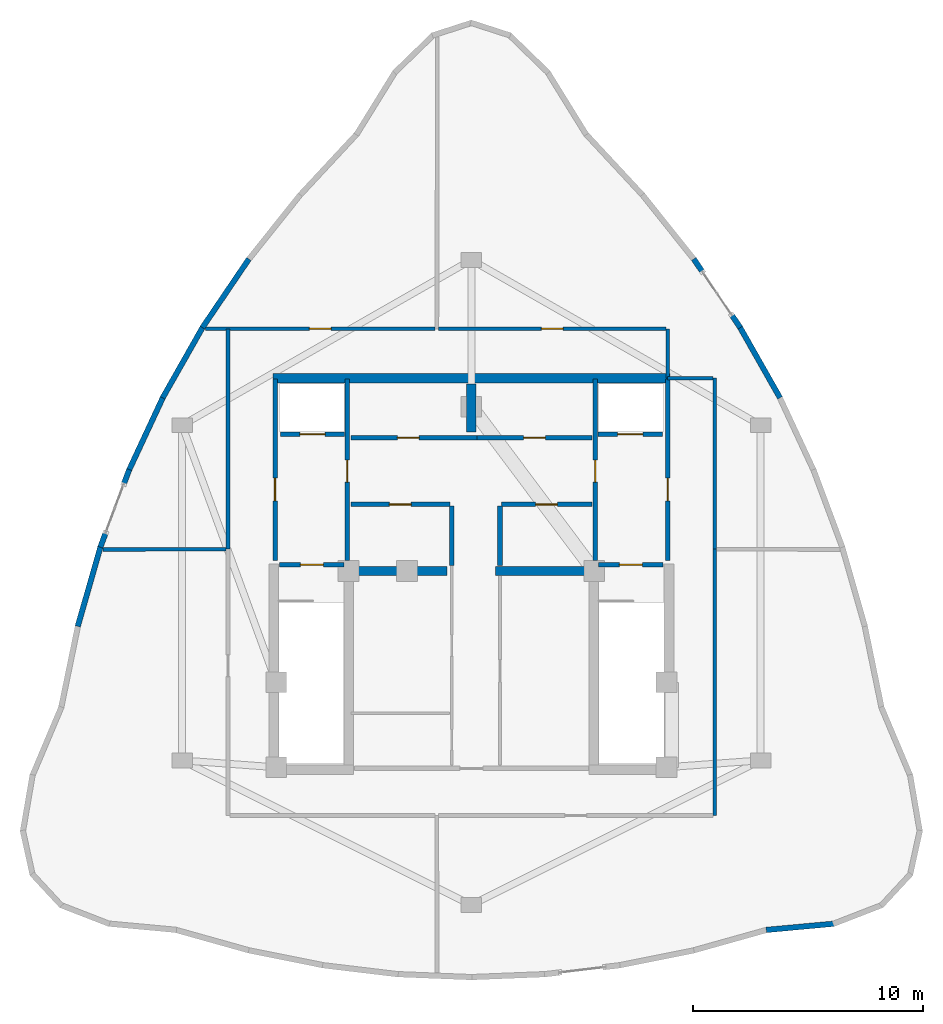
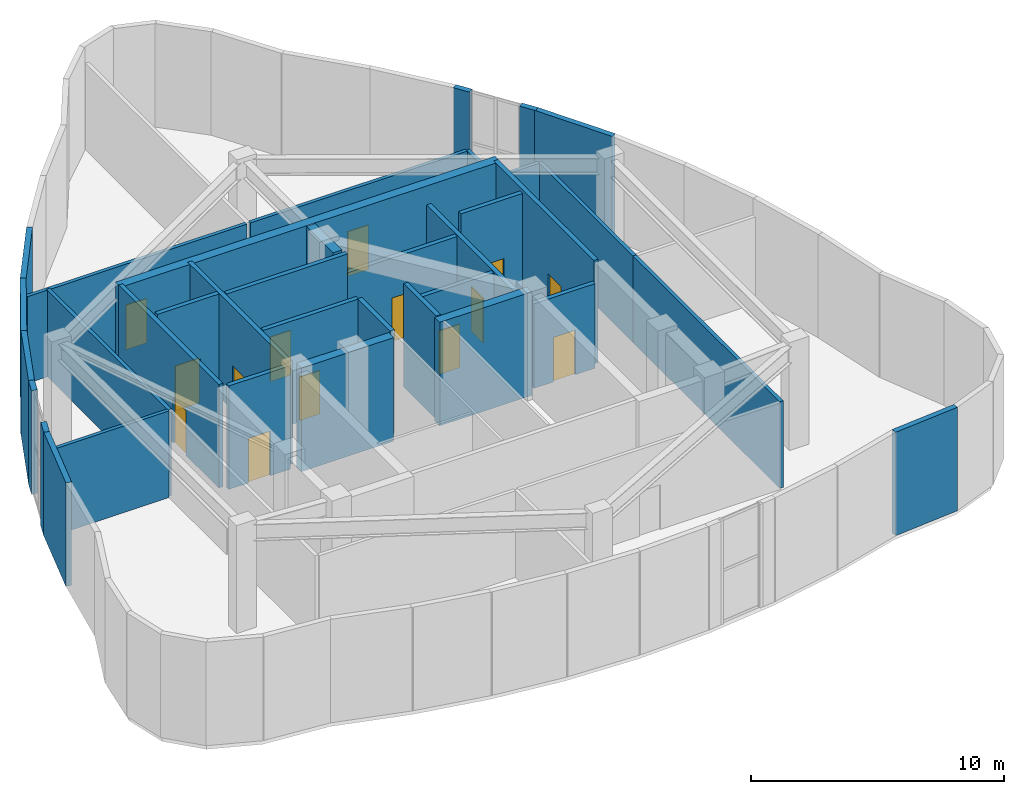
# One storey, part 10 of 12: 36 walls, 14 doors, 14 openings.
"""IFC4 building model written with IfcOpenShell, lengths in metres."""

from ifc_helpers import new_model, si_unit, direction, frame, frame_2d, origin, place, context, subcontext, project, spatial, rectangle, extrude, material, layer, layer_set, type_object, element, fill, save


model = new_model("IFC4")

# Units and contexts
model_context = context("Model", 3, precision=1e-05, world=origin(), true_north=direction((0.0, 1.0)))
body_context = subcontext(model_context, "Body", "Model", "MODEL_VIEW")
ifc_project = project(units=[si_unit("LENGTHUNIT", "METRE"), si_unit("AREAUNIT", "SQUARE_METRE"), si_unit("VOLUMEUNIT", "CUBIC_METRE"), si_unit("PLANEANGLEUNIT", "RADIAN"), si_unit("MASSUNIT", "GRAM", prefix="KILO")], contexts=[model_context])

# Site, building, storey
site_placement = place(None, origin())
site = spatial("IfcSite", under=ifc_project, at=site_placement, CompositionType="ELEMENT")
building_placement = place(site_placement, origin())
building = spatial("IfcBuilding", under=site, at=building_placement, Name="Miruveldt Soraemaru", CompositionType="ELEMENT")
storey_placement = place(building_placement, frame((0.0, 0.0, 312.800048828125)))
storey = spatial("IfcBuildingStorey", under=building, at=storey_placement, Name="L82", CompositionType="ELEMENT", Elevation=312.800048828125)

# Walls
ifc_material_1 = material(Name="Concrete C70/85 (70 MPa)", Category="concrete")
ifc_layer_1 = layer(ifc_material_1, 0.5, Name="Concrete C70/85 (70 MPa)", Category="concrete")
ifc_layer_set_1 = layer_set([ifc_layer_1], Name="Concrete C70/85 (70 MPa)")
wall_type_1 = type_object("IfcWallType", Name="WALL-BW-500", PredefinedType="SHEAR", material=ifc_layer_set_1)
wall_1_placement = place(storey_placement, frame((44.0, 50.10009765625, 0.0), z_axis=(0.0, 0.0, 1.0), x_axis=(0.0, 1.0, 0.0)))
element("IfcWall", 1, at=wall_1_placement, inside=storey, type_object=wall_type_1, Name="L82 Core Buttress Shear Wall BN", PredefinedType="SHEAR", context=body_context, shape_type="SweptSolid", body=[
    extrude(rectangle(XDim=2.099853515625, YDim=0.39990234375, at=frame_2d((1.0498046875, 0.0))), origin(), (0.0, 0.0, 1.0), 4.989990234375),
])
for number, where, z_axis, x_axis, name in (
    (2, (38.75, 44.050048828125, 0.0), (0.0, 0.0, 1.0), (1.0, 0.0, 0.0), "L82 Core Buttress Shear Wall BW"),
    (3, (45.050048828125, 44.050048828125, 0.0), (0.0, 0.0, 1.0), (1.0, 0.0, 0.0), "L82 Core Buttress Shear Wall BE"),
):
    element("IfcWall", number, at=place(storey_placement, frame(where, z_axis=z_axis, x_axis=x_axis)), inside=storey, type_object=wall_type_1, Name=name, PredefinedType="SHEAR", context=body_context, shape_type="SweptSolid", body=[
        extrude(rectangle(XDim=4.199951171875, YDim=0.39990234375, at=frame_2d((2.10009765625, 0.0))), origin(), (0.0, 0.0, 1.0), 4.989990234375),
    ])
ifc_material_2 = material(Name="Concrete C50/60 (50 MPa)", Category="concrete")
ifc_layer_2 = layer(ifc_material_2, 0.419921875, Name="Concrete C50/60 (50 MPa)", Category="concrete")
ifc_layer_set_2 = layer_set([ifc_layer_2], Name="Concrete C50/60 (50 MPa)")
wall_type_2 = type_object("IfcWallType", Name="WALL-CW-420", PredefinedType="SHEAR", material=ifc_layer_set_2)
wall_2_placement = place(storey_placement, frame((35.35009765625, 52.449951171875, 0.0), z_axis=(0.0, 0.0, 1.0), x_axis=(1.0, 0.0, 0.0)))
element("IfcWall", 4, at=wall_2_placement, inside=storey, type_object=wall_type_2, Name="L82 Central Core Shear Wall N", PredefinedType="SHEAR", context=body_context, shape_type="SweptSolid", body=[
    extrude(rectangle(XDim=17.2998046875, YDim=0.419921875, at=frame_2d((8.64990234375, 0.0))), origin(), (0.0, 0.0, 1.0), 4.989990234375),
])
ifc_material_3 = material(Name="Precast concrete C45/55 (45 MPa)", Category="concrete")
ifc_layer_3 = layer(ifc_material_3, 0.239990234375, Name="Precast concrete C45/55 (45 MPa)", Category="concrete")
ifc_layer_set_3 = layer_set([ifc_layer_3], Name="Precast concrete C45/55 (45 MPa)")
wall_type_3 = type_object("IfcWallType", Name="WALL-EXT-PC240", PredefinedType="SOLIDWALL", material=ifc_layer_set_3)
wall_3_placement = place(storey_placement, frame((34.30908203125, 57.640869140625, 0.0), z_axis=(0.0, 0.0, 1.0), x_axis=(-0.560819727484, -0.827937940467, 0.0)))
element("IfcWall", 5, at=wall_3_placement, inside=storey, type_object=wall_type_3, Name="L82 Precast Concrete Facade Wall 9", PredefinedType="SOLIDWALL", context=body_context, shape_type="SweptSolid", body=[
    extrude(rectangle(XDim=3.609375, YDim=0.239990234375, at=frame_2d((1.8046875, 0.0))), origin(), (0.0, 0.0, 1.0), 4.989990234375),
])
wall_4_placement = place(storey_placement, frame((32.32177734375, 54.7119140625, 0.0), z_axis=(0.0, 0.0, 1.0), x_axis=(-0.49340236427, -0.869801188165, 0.0)))
element("IfcWall", 6, at=wall_4_placement, inside=storey, type_object=wall_type_3, Name="L82 Precast Concrete Facade Wall 10", PredefinedType="SOLIDWALL", context=body_context, shape_type="SweptSolid", body=[
    extrude(rectangle(XDim=3.5869140625, YDim=0.239990234375, at=frame_2d((1.79345703125, 0.0))), origin(), (0.0, 0.0, 1.0), 4.989990234375),
])
wall_5_placement = place(storey_placement, frame((30.584228515625, 51.654296875, 0.0), z_axis=(0.0, 0.0, 1.0), x_axis=(-0.422322757118, -0.906445524464, 0.0)))
element("IfcWall", 7, at=wall_5_placement, inside=storey, type_object=wall_type_3, Name="L82 Precast Concrete Facade Wall 11", PredefinedType="SOLIDWALL", context=body_context, shape_type="SweptSolid", body=[
    extrude(rectangle(XDim=3.587158203125, YDim=0.239990234375, at=frame_2d((1.79345703125, 0.0))), origin(), (0.0, 0.0, 1.0), 4.989990234375),
])
wall_6_placement = place(storey_placement, frame((29.096435546875, 48.46728515625, 0.0), z_axis=(0.0, 0.0, 1.0), x_axis=(-0.349073246867, -0.937095442483, 0.0)))
element("IfcWall", 8, at=wall_6_placement, inside=storey, type_object=wall_type_3, Name="L82 Precast Pier Left 12", PredefinedType="SOLIDWALL", context=body_context, shape_type="SweptSolid", body=[
    extrude(rectangle(XDim=0.705078125, YDim=0.239990234375, at=frame_2d((0.3525390625, 0.0))), origin(), (0.0, 0.0, 1.0), 4.989990234375),
])
wall_7_placement = place(storey_placement, frame((28.082763671875, 45.74609375, 0.0), z_axis=(0.0, 0.0, 1.0), x_axis=(-0.348960000238, -0.937137619688, 0.0)))
element("IfcWall", 9, at=wall_7_placement, inside=storey, type_object=wall_type_3, Name="L82 Precast Pier Right 12", PredefinedType="SOLIDWALL", context=body_context, shape_type="SweptSolid", body=[
    extrude(rectangle(XDim=0.705322265625, YDim=0.239990234375, at=frame_2d((0.3525390625, 0.0))), origin(), (0.0, 0.0, 1.0), 4.989990234375),
])
wall_8_placement = place(storey_placement, frame((27.8583984375, 45.151611328125, 0.0), z_axis=(0.0, 0.0, 1.0), x_axis=(-0.274897629025, -0.961473501224, 0.0)))
element("IfcWall", 10, at=wall_8_placement, inside=storey, type_object=wall_type_3, Name="L82 Precast Concrete Facade Wall 13", PredefinedType="SOLIDWALL", context=body_context, shape_type="SweptSolid", body=[
    extrude(rectangle(XDim=3.65380859375, YDim=0.239990234375, at=frame_2d((1.826904296875, 0.0))), origin(), (0.0, 0.0, 1.0), 4.989990234375),
])
wall_9_placement = place(storey_placement, frame((56.84619140625, 28.412841796875, 0.0), z_axis=(0.0, 0.0, 1.0), x_axis=(0.995767942029, 0.091903240575, 0.0)))
element("IfcWall", 11, at=wall_9_placement, inside=storey, type_object=wall_type_3, Name="L82 Precast Concrete Facade Wall 29", PredefinedType="SOLIDWALL", context=body_context, shape_type="SweptSolid", body=[
    extrude(rectangle(XDim=2.993896484375, YDim=0.239990234375, at=frame_2d((1.4970703125, 0.0))), origin(), (0.0, 0.0, 1.0), 4.989990234375),
])
wall_10_placement = place(storey_placement, frame((57.447998046875, 51.592041015625, 0.0), z_axis=(0.0, 0.0, 1.0), x_axis=(-0.49340236427, 0.869801188165, 0.0)))
element("IfcWall", 12, at=wall_10_placement, inside=storey, type_object=wall_type_3, Name="L82 Precast Concrete Facade Wall 39", PredefinedType="SOLIDWALL", context=body_context, shape_type="SweptSolid", body=[
    extrude(rectangle(XDim=3.5869140625, YDim=0.239990234375, at=frame_2d((1.79345703125, 0.0))), origin(), (0.0, 0.0, 1.0), 4.989990234375),
])
wall_11_placement = place(storey_placement, frame((55.715087890625, 54.652587890625, 0.0), z_axis=(0.0, 0.0, 1.0), x_axis=(-0.560917046494, 0.827872011214, 0.0)))
element("IfcWall", 13, at=wall_11_placement, inside=storey, type_object=wall_type_3, Name="L82 Precast Pier Left 40", PredefinedType="SOLIDWALL", context=body_context, shape_type="SweptSolid", body=[
    extrude(rectangle(XDim=0.705078125, YDim=0.239990234375, at=frame_2d((0.3525390625, 0.0))), origin(), (0.0, 0.0, 1.0), 4.989990234375),
])
wall_12_placement = place(storey_placement, frame((54.08642578125, 57.056884765625, 0.0), z_axis=(0.0, 0.0, 1.0), x_axis=(-0.560756297025, 0.827980902767, 0.0)))
element("IfcWall", 14, at=wall_12_placement, inside=storey, type_object=wall_type_3, Name="L82 Precast Pier Right 40", PredefinedType="SOLIDWALL", context=body_context, shape_type="SweptSolid", body=[
    extrude(rectangle(XDim=0.705322265625, YDim=0.239990234375, at=frame_2d((0.3525390625, 0.0))), origin(), (0.0, 0.0, 1.0), 4.989990234375),
])

# Wall, opening, door
ifc_material_4 = material(Name="Concrete C40/50 (40 MPa)", Category="concrete")
ifc_layer_4 = layer(ifc_material_4, 0.159912109375, Name="Concrete C40/50 (40 MPa)", Category="concrete")
ifc_layer_set_4 = layer_set([ifc_layer_4], Name="Concrete C40/50 (40 MPa)")
wall_type_4 = type_object("IfcWallType", Name="WALL-INT-RC160", PredefinedType="SOLIDWALL", material=ifc_layer_set_4)
wall_13_placement = place(storey_placement, frame((42.419921875, 54.60009765625, 0.0), z_axis=(0.0, 0.0, 1.0), x_axis=(-1.0, 0.0, 0.0)))
wall_13 = element("IfcWall", 15, at=wall_13_placement, inside=storey, type_object=wall_type_4, Name="L82 Partition Wall 5", PredefinedType="SOLIDWALL", context=body_context, shape_type="SweptSolid", body=[
    extrude(rectangle(XDim=10.0068359375, YDim=0.159912109375, at=frame_2d((5.00341796875, 0.0))), origin(), (0.0, 0.0, 1.0), 4.177978515625),
])
opening_1_placement = place(wall_13_placement, frame((4.529052734375, 0.0, 0.0)))
opening_1 = element("IfcOpeningElement", 16, at=opening_1_placement, cuts=wall_13, Name="Opening FD2", PredefinedType="OPENING", context=body_context, shape_type="SweptSolid", body=[
    extrude(rectangle(XDim=0.949951171875, YDim=2.14990234375, at=frame_2d((0.47509765625, 1.074951171875))), frame((0.0, 0.08984375, 0.0), z_axis=(0.0, -1.0, 0.0), x_axis=(1.0, 0.0, 0.0)), (0.0, 0.0, 1.0), 0.179931640625),
])
ifc_material_5 = material(Name="Anodised aluminium EN AW-6063 T6", Category="aluminium")
door_type_1 = type_object("IfcDoorType", Name="DOOR-FD2-950", OperationType="NOTDEFINED", PredefinedType="DOOR", material=ifc_material_5)
door_1_placement = place(opening_1_placement, origin())
door_1 = element("IfcDoor", 17, at=door_1_placement, inside=storey, type_object=door_type_1, Name="L82 L82 Crown Water Tank and Pump Plant Room Fire Door", OperationType="SINGLE_SWING_RIGHT", OverallHeight=2.14990234375, OverallWidth=0.949951171875, PredefinedType="DOOR", context=body_context, shape_type="SweptSolid", body=[
    extrude(rectangle(XDim=0.949951171875, YDim=2.14990234375, at=frame_2d((0.47509765625, 1.074951171875))), frame((0.0, 0.02490234375, 0.0), z_axis=(0.0, -1.0, 0.0), x_axis=(1.0, 0.0, 0.0)), (0.0, 0.0, 1.0), 0.050048828125),
])
fill(opening_1, door_1)

wall_14_placement = place(storey_placement, frame((52.469970703125, 54.60009765625, 0.0), z_axis=(0.0, 0.0, 1.0), x_axis=(-1.0, 0.0, 0.0)))
wall_14 = element("IfcWall", 18, at=wall_14_placement, inside=storey, type_object=wall_type_4, Name="L82 Partition Wall 10", PredefinedType="SOLIDWALL", context=body_context, shape_type="SweptSolid", body=[
    extrude(rectangle(XDim=9.889892578125, YDim=0.159912109375, at=frame_2d((4.94482421875, 0.0))), origin(), (0.0, 0.0, 1.0), 4.177978515625),
])
opening_2_placement = place(wall_14_placement, frame((4.469970703125, 0.0, 0.0)))
opening_2 = element("IfcOpeningElement", 19, at=opening_2_placement, cuts=wall_14, Name="Opening FD2", PredefinedType="OPENING", context=body_context, shape_type="SweptSolid", body=[
    extrude(rectangle(XDim=0.949951171875, YDim=2.14990234375, at=frame_2d((0.47509765625, 1.074951171875))), frame((0.0, 0.08984375, 0.0), z_axis=(0.0, -1.0, 0.0), x_axis=(1.0, 0.0, 0.0)), (0.0, 0.0, 1.0), 0.179931640625),
])
door_2_placement = place(opening_2_placement, origin())
door_2 = element("IfcDoor", 20, at=door_2_placement, inside=storey, type_object=door_type_1, Name="L82 L82 Crown Electrical and BMS Plant Room Fire Door", OperationType="SINGLE_SWING_LEFT", OverallHeight=2.14990234375, OverallWidth=0.949951171875, PredefinedType="DOOR", context=body_context, shape_type="SweptSolid", body=[
    extrude(rectangle(XDim=0.949951171875, YDim=2.14990234375, at=frame_2d((0.47509765625, 1.074951171875))), frame((0.0, 0.02490234375, 0.0), z_axis=(0.0, -1.0, 0.0), x_axis=(1.0, 0.0, 0.0)), (0.0, 0.0, 1.0), 0.050048828125),
])
fill(opening_2, door_2)

# Walls
wall_15_placement = place(storey_placement, frame((54.60009765625, 33.39990234375, 0.0), z_axis=(0.0, 0.0, 1.0), x_axis=(0.0, 1.0, 0.0)))
element("IfcWall", 21, at=wall_15_placement, inside=storey, type_object=wall_type_4, Name="L82 Partition Wall 4", PredefinedType="SOLIDWALL", context=body_context, shape_type="SweptSolid", body=[
    extrude(rectangle(XDim=11.60009765625, YDim=0.159912109375, at=frame_2d((5.800048828125, 0.0))), origin(), (0.0, 0.0, 1.0), 4.177978515625),
])
wall_16_placement = place(storey_placement, frame((33.39990234375, 54.60009765625, 0.0), z_axis=(0.0, 0.0, 1.0), x_axis=(0.0, -1.0, 0.0)))
element("IfcWall", 22, at=wall_16_placement, inside=storey, type_object=wall_type_4, Name="L82 Partition Wall 6", PredefinedType="SOLIDWALL", context=body_context, shape_type="SweptSolid", body=[
    extrude(rectangle(XDim=9.60009765625, YDim=0.159912109375, at=frame_2d((4.800048828125, 0.0))), origin(), (0.0, 0.0, 1.0), 4.177978515625),
])
wall_17_placement = place(storey_placement, frame((54.60009765625, 45.0, 0.0), z_axis=(0.0, 0.0, 1.0), x_axis=(0.0, 1.0, 0.0)))
element("IfcWall", 23, at=wall_17_placement, inside=storey, type_object=wall_type_4, Name="L82 Partition Wall 7", PredefinedType="SOLIDWALL", context=body_context, shape_type="SweptSolid", body=[
    extrude(rectangle(XDim=7.449951171875, YDim=0.159912109375, at=frame_2d((3.72509765625, 0.0))), origin(), (0.0, 0.0, 1.0), 4.177978515625),
])
wall_18_placement = place(storey_placement, frame((33.320068359375, 45.0, 0.0), z_axis=(0.0, 0.0, 1.0), x_axis=(-0.999996153217, -0.002773725234, 0.0)))
element("IfcWall", 24, at=wall_18_placement, inside=storey, type_object=wall_type_4, Name="L82 Partition Wall 12", PredefinedType="SOLIDWALL", context=body_context, shape_type="SweptSolid", body=[
    extrude(rectangle(XDim=5.369140625, YDim=0.159912109375, at=frame_2d((2.6845703125, 0.0))), origin(), (0.0, 0.0, 1.0), 4.177978515625),
])
wall_19_placement = place(storey_placement, frame((52.550048828125, 52.449951171875, 0.0), z_axis=(0.0, 0.0, 1.0), x_axis=(0.0, 1.0, 0.0)))
element("IfcWall", 25, at=wall_19_placement, inside=storey, type_object=wall_type_4, Name="L82 Partition Wall 9", PredefinedType="SOLIDWALL", context=body_context, shape_type="SweptSolid", body=[
    extrude(rectangle(XDim=2.150146484375, YDim=0.159912109375, at=frame_2d((1.0751953125, 0.0))), origin(), (0.0, 0.0, 1.0), 4.177978515625),
])
wall_20_placement = place(storey_placement, frame((54.52001953125, 52.449951171875, 0.0), z_axis=(0.0, 0.0, 1.0), x_axis=(-1.0, 0.0, 0.0)))
element("IfcWall", 26, at=wall_20_placement, inside=storey, type_object=wall_type_4, Name="L82 Partition Wall 8", PredefinedType="SOLIDWALL", context=body_context, shape_type="SweptSolid", body=[
    extrude(rectangle(XDim=1.969970703125, YDim=0.159912109375, at=frame_2d((0.98486328125, 0.0))), origin(), (0.0, 0.0, 1.0), 4.177978515625),
])

# Wall, opening, door
ifc_layer_5 = layer(ifc_material_4, 0.199951171875, Name="Concrete C40/50 (40 MPa)", Category="concrete")
ifc_layer_set_5 = layer_set([ifc_layer_5], Name="Concrete C40/50 (40 MPa)")
wall_type_5 = type_object("IfcWallType", Name="WALL-INT-RC200", PredefinedType="SOLIDWALL", material=ifc_layer_set_5)
wall_21_placement = place(storey_placement, frame((35.449951171875, 44.5, 0.0), z_axis=(0.0, 0.0, 1.0), x_axis=(0.0, 1.0, 0.0)))
wall_21 = element("IfcWall", 27, at=wall_21_placement, inside=storey, type_object=wall_type_5, Name="L82 Core Compartment Wall FFW-OUT", PredefinedType="SOLIDWALL", context=body_context, shape_type="SweptSolid", body=[
    extrude(rectangle(XDim=7.919921875, YDim=0.199951171875, at=frame_2d((3.9599609375, 0.0))), origin(), (0.0, 0.0, 1.0), 4.989990234375),
])
opening_3_placement = place(wall_21_placement, frame((2.60009765625, 0.0, 0.0)))
opening_3 = element("IfcOpeningElement", 28, at=opening_3_placement, cuts=wall_21, Name="Opening FD1", PredefinedType="OPENING", context=body_context, shape_type="SweptSolid", body=[
    extrude(rectangle(XDim=1.0, YDim=2.14990234375, at=frame_2d((0.5, 1.074951171875))), frame((0.0, 0.10986328125, 0.0), z_axis=(0.0, -1.0, 0.0), x_axis=(1.0, 0.0, 0.0)), (0.0, 0.0, 1.0), 0.219970703125),
])
door_type_2 = type_object("IfcDoorType", Name="DOOR-FD1-1000", OperationType="NOTDEFINED", PredefinedType="DOOR", material=ifc_material_5)
door_3_placement = place(opening_3_placement, origin())
door_3 = element("IfcDoor", 29, at=door_3_placement, inside=storey, type_object=door_type_2, Name="L82 West Firefighting Lobby Exit Door", OperationType="SINGLE_SWING_LEFT", OverallHeight=2.14990234375, OverallWidth=1.0, PredefinedType="DOOR", context=body_context, shape_type="SweptSolid", body=[
    extrude(rectangle(XDim=1.0, YDim=2.14990234375, at=frame_2d((0.5, 1.074951171875))), frame((0.0, 0.02490234375, 0.0), z_axis=(0.0, -1.0, 0.0), x_axis=(1.0, 0.0, 0.0)), (0.0, 0.0, 1.0), 0.050048828125),
])
fill(opening_3, door_3)

wall_22_placement = place(storey_placement, frame((52.550048828125, 44.5, 0.0), z_axis=(0.0, 0.0, 1.0), x_axis=(0.0, 1.0, 0.0)))
wall_22 = element("IfcWall", 30, at=wall_22_placement, inside=storey, type_object=wall_type_5, Name="L82 Core Compartment Wall FFE-OUT", PredefinedType="SOLIDWALL", context=body_context, shape_type="SweptSolid", body=[
    extrude(rectangle(XDim=7.919921875, YDim=0.199951171875, at=frame_2d((3.9599609375, 0.0))), origin(), (0.0, 0.0, 1.0), 4.989990234375),
])
opening_4_placement = place(wall_22_placement, frame((2.60009765625, 0.0, 0.0)))
opening_4 = element("IfcOpeningElement", 31, at=opening_4_placement, cuts=wall_22, Name="Opening FD1", PredefinedType="OPENING", context=body_context, shape_type="SweptSolid", body=[
    extrude(rectangle(XDim=1.0, YDim=2.14990234375, at=frame_2d((0.5, 1.074951171875))), frame((0.0, 0.10986328125, 0.0), z_axis=(0.0, -1.0, 0.0), x_axis=(1.0, 0.0, 0.0)), (0.0, 0.0, 1.0), 0.219970703125),
])
door_4_placement = place(opening_4_placement, frame((1.0, 0.0, 0.0), z_axis=(0.0, 0.0, 1.0), x_axis=(-1.0, 0.0, 0.0)))
door_4 = element("IfcDoor", 32, at=door_4_placement, inside=storey, type_object=door_type_2, Name="L82 East Firefighting Lobby Exit Door", OperationType="SINGLE_SWING_RIGHT", OverallHeight=2.14990234375, OverallWidth=1.0, PredefinedType="DOOR", context=body_context, shape_type="SweptSolid", body=[
    extrude(rectangle(XDim=1.0, YDim=2.14990234375, at=frame_2d((0.5, 1.074951171875))), frame((0.0, 0.02490234375, 0.0), z_axis=(0.0, -1.0, 0.0), x_axis=(1.0, 0.0, 0.0)), (0.0, 0.0, 1.0), 0.050048828125),
])
fill(opening_4, door_4)

wall_23_placement = place(storey_placement, frame((38.60009765625, 44.5, 0.0), z_axis=(0.0, 0.0, 1.0), x_axis=(0.0, 1.0, 0.0)))
wall_23 = element("IfcWall", 33, at=wall_23_placement, inside=storey, type_object=wall_type_5, Name="L82 Core Compartment Wall FFW-IN", PredefinedType="SOLIDWALL", context=body_context, shape_type="SweptSolid", body=[
    extrude(rectangle(XDim=7.919921875, YDim=0.199951171875, at=frame_2d((3.9599609375, 0.0))), origin(), (0.0, 0.0, 1.0), 4.989990234375),
])
opening_5_placement = place(wall_23_placement, frame((3.425048828125, 0.0, 0.0)))
opening_5 = element("IfcOpeningElement", 34, at=opening_5_placement, cuts=wall_23, Name="Opening FD2", PredefinedType="OPENING", context=body_context, shape_type="SweptSolid", body=[
    extrude(rectangle(XDim=0.949951171875, YDim=2.14990234375, at=frame_2d((0.47509765625, 1.074951171875))), frame((0.0, 0.10986328125, 0.0), z_axis=(0.0, -1.0, 0.0), x_axis=(1.0, 0.0, 0.0)), (0.0, 0.0, 1.0), 0.219970703125),
])
door_5_placement = place(opening_5_placement, frame((0.949951171875, 0.0, 0.0), z_axis=(0.0, 0.0, 1.0), x_axis=(-1.0, 0.0, 0.0)))
door_5 = element("IfcDoor", 35, at=door_5_placement, inside=storey, type_object=door_type_1, Name="L82 Lift Lobby to West Fire Lobby Door", OperationType="SINGLE_SWING_RIGHT", OverallHeight=2.14990234375, OverallWidth=0.949951171875, PredefinedType="DOOR", context=body_context, shape_type="SweptSolid", body=[
    extrude(rectangle(XDim=0.949951171875, YDim=2.14990234375, at=frame_2d((0.47509765625, 1.074951171875))), frame((0.0, 0.02490234375, 0.0), z_axis=(0.0, -1.0, 0.0), x_axis=(1.0, 0.0, 0.0)), (0.0, 0.0, 1.0), 0.050048828125),
])
fill(opening_5, door_5)

wall_24_placement = place(storey_placement, frame((49.39990234375, 44.5, 0.0), z_axis=(0.0, 0.0, 1.0), x_axis=(0.0, 1.0, 0.0)))
wall_24 = element("IfcWall", 36, at=wall_24_placement, inside=storey, type_object=wall_type_5, Name="L82 Core Compartment Wall FFE-IN", PredefinedType="SOLIDWALL", context=body_context, shape_type="SweptSolid", body=[
    extrude(rectangle(XDim=7.919921875, YDim=0.199951171875, at=frame_2d((3.9599609375, 0.0))), origin(), (0.0, 0.0, 1.0), 4.077880859375),
])
opening_6_placement = place(wall_24_placement, frame((3.425048828125, 0.0, 0.0)))
opening_6 = element("IfcOpeningElement", 37, at=opening_6_placement, cuts=wall_24, Name="Opening FD2", PredefinedType="OPENING", context=body_context, shape_type="SweptSolid", body=[
    extrude(rectangle(XDim=0.949951171875, YDim=2.14990234375, at=frame_2d((0.47509765625, 1.074951171875))), frame((0.0, 0.10986328125, 0.0), z_axis=(0.0, -1.0, 0.0), x_axis=(1.0, 0.0, 0.0)), (0.0, 0.0, 1.0), 0.219970703125),
])
door_6_placement = place(opening_6_placement, origin())
door_6 = element("IfcDoor", 38, at=door_6_placement, inside=storey, type_object=door_type_1, Name="L82 Lift Lobby to East Fire Lobby Door", OperationType="SINGLE_SWING_LEFT", OverallHeight=2.14990234375, OverallWidth=0.949951171875, PredefinedType="DOOR", context=body_context, shape_type="SweptSolid", body=[
    extrude(rectangle(XDim=0.949951171875, YDim=2.14990234375, at=frame_2d((0.47509765625, 1.074951171875))), frame((0.0, 0.02490234375, 0.0), z_axis=(0.0, -1.0, 0.0), x_axis=(1.0, 0.0, 0.0)), (0.0, 0.0, 1.0), 0.050048828125),
])
fill(opening_6, door_6)

wall_25_placement = place(storey_placement, frame((38.75, 49.85009765625, 0.0), z_axis=(0.0, 0.0, 1.0), x_axis=(1.0, 0.0, 0.0)))
wall_25 = element("IfcWall", 39, at=wall_25_placement, inside=storey, type_object=wall_type_5, Name="L82 Core Compartment Wall ROWA-SW", PredefinedType="SOLIDWALL", context=body_context, shape_type="SweptSolid", body=[
    extrude(rectangle(XDim=5.5, YDim=0.199951171875, at=frame_2d((2.75, 0.0))), origin(), (0.0, 0.0, 1.0), 4.989990234375),
])
opening_7_placement = place(wall_25_placement, frame((2.02490234375, 0.0, 0.0)))
opening_7 = element("IfcOpeningElement", 40, at=opening_7_placement, cuts=wall_25, Name="Opening FD2", PredefinedType="OPENING", context=body_context, shape_type="SweptSolid", body=[
    extrude(rectangle(XDim=0.949951171875, YDim=2.14990234375, at=frame_2d((0.47509765625, 1.074951171875))), frame((0.0, 0.10986328125, 0.0), z_axis=(0.0, -1.0, 0.0), x_axis=(1.0, 0.0, 0.0)), (0.0, 0.0, 1.0), 0.219970703125),
])
door_7_placement = place(opening_7_placement, origin())
door_7 = element("IfcDoor", 41, at=door_7_placement, inside=storey, type_object=door_type_1, Name="L82 Fire Door", OperationType="SINGLE_SWING_LEFT", OverallHeight=2.14990234375, OverallWidth=0.949951171875, PredefinedType="DOOR", context=body_context, shape_type="SweptSolid", body=[
    extrude(rectangle(XDim=0.949951171875, YDim=2.14990234375, at=frame_2d((0.47509765625, 1.074951171875))), frame((0.0, 0.02490234375, 0.0), z_axis=(0.0, -1.0, 0.0), x_axis=(1.0, 0.0, 0.0)), (0.0, 0.0, 1.0), 0.050048828125),
])
fill(opening_7, door_7)

wall_26_placement = place(storey_placement, frame((44.25, 49.85009765625, 0.0), z_axis=(0.0, 0.0, 1.0), x_axis=(1.0, 0.0, 0.0)))
wall_26 = element("IfcWall", 42, at=wall_26_placement, inside=storey, type_object=wall_type_5, Name="L82 Core Compartment Wall ROWA-SE", PredefinedType="SOLIDWALL", context=body_context, shape_type="SweptSolid", body=[
    extrude(rectangle(XDim=5.0, YDim=0.199951171875, at=frame_2d((2.5, 0.0))), origin(), (0.0, 0.0, 1.0), 4.077880859375),
])
opening_8_placement = place(wall_26_placement, frame((2.02490234375, 0.0, 0.0)))
opening_8 = element("IfcOpeningElement", 43, at=opening_8_placement, cuts=wall_26, Name="Opening FD2", PredefinedType="OPENING", context=body_context, shape_type="SweptSolid", body=[
    extrude(rectangle(XDim=0.949951171875, YDim=2.14990234375, at=frame_2d((0.47509765625, 1.074951171875))), frame((0.0, 0.10986328125, 0.0), z_axis=(0.0, -1.0, 0.0), x_axis=(1.0, 0.0, 0.0)), (0.0, 0.0, 1.0), 0.219970703125),
])
door_8_placement = place(opening_8_placement, origin())
door_8 = element("IfcDoor", 44, at=door_8_placement, inside=storey, type_object=door_type_1, Name="L82 Fire Door", OperationType="SINGLE_SWING_LEFT", OverallHeight=2.14990234375, OverallWidth=0.949951171875, PredefinedType="DOOR", context=body_context, shape_type="SweptSolid", body=[
    extrude(rectangle(XDim=0.949951171875, YDim=2.14990234375, at=frame_2d((0.47509765625, 1.074951171875))), frame((0.0, 0.02490234375, 0.0), z_axis=(0.0, -1.0, 0.0), x_axis=(1.0, 0.0, 0.0)), (0.0, 0.0, 1.0), 0.050048828125),
])
fill(opening_8, door_8)

wall_27_placement = place(storey_placement, frame((38.75, 46.949951171875, 0.0), z_axis=(0.0, 0.0, 1.0), x_axis=(1.0, 0.0, 0.0)))
wall_27 = element("IfcWall", 45, at=wall_27_placement, inside=storey, type_object=wall_type_5, Name="L82 Core Compartment Wall MBW-N", PredefinedType="SOLIDWALL", context=body_context, shape_type="SweptSolid", body=[
    extrude(rectangle(XDim=4.330078125, YDim=0.199951171875, at=frame_2d((2.1650390625, 0.0))), origin(), (0.0, 0.0, 1.0), 4.989990234375),
])
opening_9_placement = place(wall_27_placement, frame((1.675048828125, 0.0, 0.0)))
opening_9 = element("IfcOpeningElement", 46, at=opening_9_placement, cuts=wall_27, Name="Opening D2", PredefinedType="OPENING", context=body_context, shape_type="SweptSolid", body=[
    extrude(rectangle(XDim=0.949951171875, YDim=2.10009765625, at=frame_2d((0.47509765625, 1.050048828125))), frame((0.0, 0.10986328125, 0.0), z_axis=(0.0, -1.0, 0.0), x_axis=(1.0, 0.0, 0.0)), (0.0, 0.0, 1.0), 0.219970703125),
])
door_type_3 = type_object("IfcDoorType", Name="DOOR-INT-950", OperationType="NOTDEFINED", PredefinedType="DOOR", material=ifc_material_5)
door_9_placement = place(opening_9_placement, origin())
door_9 = element("IfcDoor", 47, at=door_9_placement, inside=storey, type_object=door_type_3, Name="L82 Fire Door", OperationType="SINGLE_SWING_LEFT", OverallHeight=2.10009765625, OverallWidth=0.949951171875, PredefinedType="DOOR", context=body_context, shape_type="SweptSolid", body=[
    extrude(rectangle(XDim=0.949951171875, YDim=2.10009765625, at=frame_2d((0.47509765625, 1.050048828125))), frame((0.0, 0.02490234375, 0.0), z_axis=(0.0, -1.0, 0.0), x_axis=(1.0, 0.0, 0.0)), (0.0, 0.0, 1.0), 0.050048828125),
])
fill(opening_9, door_9)

wall_28_placement = place(storey_placement, frame((45.320068359375, 46.949951171875, 0.0), z_axis=(0.0, 0.0, 1.0), x_axis=(1.0, 0.0, 0.0)))
wall_28 = element("IfcWall", 48, at=wall_28_placement, inside=storey, type_object=wall_type_5, Name="L82 Core Compartment Wall MBE-N", PredefinedType="SOLIDWALL", context=body_context, shape_type="SweptSolid", body=[
    extrude(rectangle(XDim=3.929931640625, YDim=0.199951171875, at=frame_2d((1.96484375, 0.0))), origin(), (0.0, 0.0, 1.0), 4.077880859375),
])
opening_10_placement = place(wall_28_placement, frame((1.47509765625, 0.0, 0.0)))
opening_10 = element("IfcOpeningElement", 49, at=opening_10_placement, cuts=wall_28, Name="Opening D2", PredefinedType="OPENING", context=body_context, shape_type="SweptSolid", body=[
    extrude(rectangle(XDim=0.949951171875, YDim=2.10009765625, at=frame_2d((0.47509765625, 1.050048828125))), frame((0.0, 0.10986328125, 0.0), z_axis=(0.0, -1.0, 0.0), x_axis=(1.0, 0.0, 0.0)), (0.0, 0.0, 1.0), 0.219970703125),
])
door_10_placement = place(opening_10_placement, origin())
door_10 = element("IfcDoor", 50, at=door_10_placement, inside=storey, type_object=door_type_3, Name="L82 Fire Door", OperationType="SINGLE_SWING_LEFT", OverallHeight=2.10009765625, OverallWidth=0.949951171875, PredefinedType="DOOR", context=body_context, shape_type="SweptSolid", body=[
    extrude(rectangle(XDim=0.949951171875, YDim=2.10009765625, at=frame_2d((0.47509765625, 1.050048828125))), frame((0.0, 0.02490234375, 0.0), z_axis=(0.0, -1.0, 0.0), x_axis=(1.0, 0.0, 0.0)), (0.0, 0.0, 1.0), 0.050048828125),
])
fill(opening_10, door_10)

wall_29_placement = place(storey_placement, frame((35.64990234375, 44.320068359375, 0.0), z_axis=(0.0, 0.0, 1.0), x_axis=(1.0, 0.0, 0.0)))
wall_29 = element("IfcWall", 51, at=wall_29_placement, inside=storey, type_object=wall_type_5, Name="L82 Core Compartment Wall ST1-N", PredefinedType="SOLIDWALL", context=body_context, shape_type="SweptSolid", body=[
    extrude(rectangle(XDim=2.800048828125, YDim=0.199951171875, at=frame_2d((1.39990234375, 0.0))), origin(), (0.0, 0.0, 1.0), 4.989990234375),
])
opening_11_placement = place(wall_29_placement, frame((0.89990234375, 0.0, 0.0)))
opening_11 = element("IfcOpeningElement", 52, at=opening_11_placement, cuts=wall_29, Name="Opening FD1", PredefinedType="OPENING", context=body_context, shape_type="SweptSolid", body=[
    extrude(rectangle(XDim=1.0, YDim=2.14990234375, at=frame_2d((0.5, 1.074951171875))), frame((0.0, 0.10986328125, 0.0), z_axis=(0.0, -1.0, 0.0), x_axis=(1.0, 0.0, 0.0)), (0.0, 0.0, 1.0), 0.219970703125),
])
door_11_placement = place(opening_11_placement, frame((1.0, 0.0, 0.0), z_axis=(0.0, 0.0, 1.0), x_axis=(-1.0, 0.0, 0.0)))
door_11 = element("IfcDoor", 53, at=door_11_placement, inside=storey, type_object=door_type_2, Name="L82 Stair ST-1 Fire Door", OperationType="SINGLE_SWING_LEFT", OverallHeight=2.14990234375, OverallWidth=1.0, PredefinedType="DOOR", context=body_context, shape_type="SweptSolid", body=[
    extrude(rectangle(XDim=1.0, YDim=2.14990234375, at=frame_2d((0.5, 1.074951171875))), frame((0.0, 0.02490234375, 0.0), z_axis=(0.0, -1.0, 0.0), x_axis=(1.0, 0.0, 0.0)), (0.0, 0.0, 1.0), 0.050048828125),
])
fill(opening_11, door_11)

wall_30_placement = place(storey_placement, frame((49.550048828125, 44.320068359375, 0.0), z_axis=(0.0, 0.0, 1.0), x_axis=(1.0, 0.0, 0.0)))
wall_30 = element("IfcWall", 54, at=wall_30_placement, inside=storey, type_object=wall_type_5, Name="L82 Core Compartment Wall ST2-N", PredefinedType="SOLIDWALL", context=body_context, shape_type="SweptSolid", body=[
    extrude(rectangle(XDim=2.800048828125, YDim=0.199951171875, at=frame_2d((1.39990234375, 0.0))), origin(), (0.0, 0.0, 1.0), 4.077880859375),
])
opening_12_placement = place(wall_30_placement, frame((0.89990234375, 0.0, 0.0)))
opening_12 = element("IfcOpeningElement", 55, at=opening_12_placement, cuts=wall_30, Name="Opening FD1", PredefinedType="OPENING", context=body_context, shape_type="SweptSolid", body=[
    extrude(rectangle(XDim=1.0, YDim=2.14990234375, at=frame_2d((0.5, 1.074951171875))), frame((0.0, 0.10986328125, 0.0), z_axis=(0.0, -1.0, 0.0), x_axis=(1.0, 0.0, 0.0)), (0.0, 0.0, 1.0), 0.219970703125),
])
door_12_placement = place(opening_12_placement, frame((1.0, 0.0, 0.0), z_axis=(0.0, 0.0, 1.0), x_axis=(-1.0, 0.0, 0.0)))
door_12 = element("IfcDoor", 56, at=door_12_placement, inside=storey, type_object=door_type_2, Name="L82 Stair ST-2 Fire Door", OperationType="SINGLE_SWING_RIGHT", OverallHeight=2.14990234375, OverallWidth=1.0, PredefinedType="DOOR", context=body_context, shape_type="SweptSolid", body=[
    extrude(rectangle(XDim=1.0, YDim=2.14990234375, at=frame_2d((0.5, 1.074951171875))), frame((0.0, 0.02490234375, 0.0), z_axis=(0.0, -1.0, 0.0), x_axis=(1.0, 0.0, 0.0)), (0.0, 0.0, 1.0), 0.050048828125),
])
fill(opening_12, door_12)

wall_31_placement = place(storey_placement, frame((35.679931640625, 50.0, 0.0), z_axis=(0.0, 0.0, 1.0), x_axis=(1.0, 0.0, 0.0)))
wall_31 = element("IfcWall", 57, at=wall_31_placement, inside=storey, type_object=wall_type_5, Name="L82 Core Compartment Wall FFL1-S", PredefinedType="SOLIDWALL", context=body_context, shape_type="SweptSolid", body=[
    extrude(rectangle(XDim=2.800048828125, YDim=0.199951171875, at=frame_2d((1.39990234375, 0.0))), origin(), (0.0, 0.0, 1.0), 4.989990234375),
])
opening_13_placement = place(wall_31_placement, frame((0.85009765625, 0.0, 0.0)))
opening_13 = element("IfcOpeningElement", 58, at=opening_13_placement, cuts=wall_31, Name="Opening LD2", PredefinedType="OPENING", context=body_context, shape_type="SweptSolid", body=[
    extrude(rectangle(XDim=1.10009765625, YDim=2.14990234375, at=frame_2d((0.550048828125, 1.074951171875))), frame((0.0, 0.10986328125, 0.0), z_axis=(0.0, -1.0, 0.0), x_axis=(1.0, 0.0, 0.0)), (0.0, 0.0, 1.0), 0.219970703125),
])
door_type_4 = type_object("IfcDoorType", Name="DOOR-LD2-1100", OperationType="SLIDING_TO_LEFT", PredefinedType="DOOR", material=ifc_material_5)
door_13_placement = place(opening_13_placement, origin())
door_13 = element("IfcDoor", 59, at=door_13_placement, inside=storey, type_object=door_type_4, Name="L82 FFL-1 Landing Door", OperationType="SLIDING_TO_LEFT", OverallHeight=2.14990234375, OverallWidth=1.10009765625, PredefinedType="DOOR", context=body_context, shape_type="SweptSolid", body=[
    extrude(rectangle(XDim=1.10009765625, YDim=2.14990234375, at=frame_2d((0.550048828125, 1.074951171875))), frame((0.0, 0.02490234375, 0.0), z_axis=(0.0, -1.0, 0.0), x_axis=(1.0, 0.0, 0.0)), (0.0, 0.0, 1.0), 0.050048828125),
])
fill(opening_13, door_13)

wall_32_placement = place(storey_placement, frame((49.52001953125, 50.0, 0.0), z_axis=(0.0, 0.0, 1.0), x_axis=(1.0, 0.0, 0.0)))
wall_32 = element("IfcWall", 60, at=wall_32_placement, inside=storey, type_object=wall_type_5, Name="L82 Core Compartment Wall FFL2-S", PredefinedType="SOLIDWALL", context=body_context, shape_type="SweptSolid", body=[
    extrude(rectangle(XDim=2.800048828125, YDim=0.199951171875, at=frame_2d((1.39990234375, 0.0))), origin(), (0.0, 0.0, 1.0), 4.989990234375),
])
opening_14_placement = place(wall_32_placement, frame((0.85009765625, 0.0, 0.0)))
opening_14 = element("IfcOpeningElement", 61, at=opening_14_placement, cuts=wall_32, Name="Opening LD2", PredefinedType="OPENING", context=body_context, shape_type="SweptSolid", body=[
    extrude(rectangle(XDim=1.10009765625, YDim=2.14990234375, at=frame_2d((0.550048828125, 1.074951171875))), frame((0.0, 0.10986328125, 0.0), z_axis=(0.0, -1.0, 0.0), x_axis=(1.0, 0.0, 0.0)), (0.0, 0.0, 1.0), 0.219970703125),
])
door_14_placement = place(opening_14_placement, origin())
door_14 = element("IfcDoor", 62, at=door_14_placement, inside=storey, type_object=door_type_4, Name="L82 FFL-2 Landing Door", OperationType="SLIDING_TO_LEFT", OverallHeight=2.14990234375, OverallWidth=1.10009765625, PredefinedType="DOOR", context=body_context, shape_type="SweptSolid", body=[
    extrude(rectangle(XDim=1.10009765625, YDim=2.14990234375, at=frame_2d((0.550048828125, 1.074951171875))), frame((0.0, 0.02490234375, 0.0), z_axis=(0.0, -1.0, 0.0), x_axis=(1.0, 0.0, 0.0)), (0.0, 0.0, 1.0), 0.050048828125),
])
fill(opening_14, door_14)

# Walls
for number, where, z_axis, x_axis, name in (
    (63, (43.14990234375, 44.300048828125, 0.0), (0.0, 0.0, 1.0), (0.0, 1.0, 0.0), "L82 Core Compartment Wall SP-WB"),
    (64, (45.25, 44.300048828125, 0.0), (0.0, 0.0, 1.0), (0.0, 1.0, 0.0), "L82 Core Compartment Wall SP-EB"),
):
    element("IfcWall", number, at=place(storey_placement, frame(where, z_axis=z_axis, x_axis=x_axis)), inside=storey, type_object=wall_type_5, Name=name, PredefinedType="SOLIDWALL", context=body_context, shape_type="SweptSolid", body=[
        extrude(rectangle(XDim=2.579833984375, YDim=0.199951171875, at=frame_2d((1.2900390625, 0.0))), origin(), (0.0, 0.0, 1.0), 4.989990234375),
    ])

save(model, "model.ifc")
